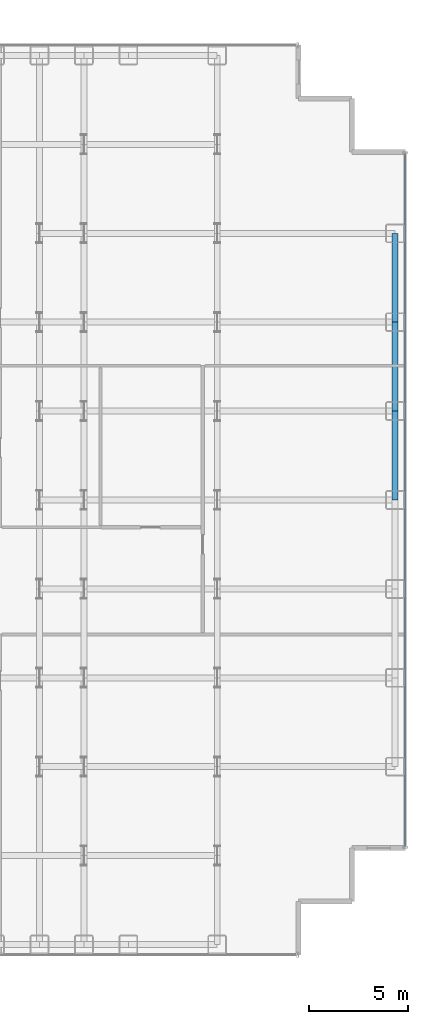
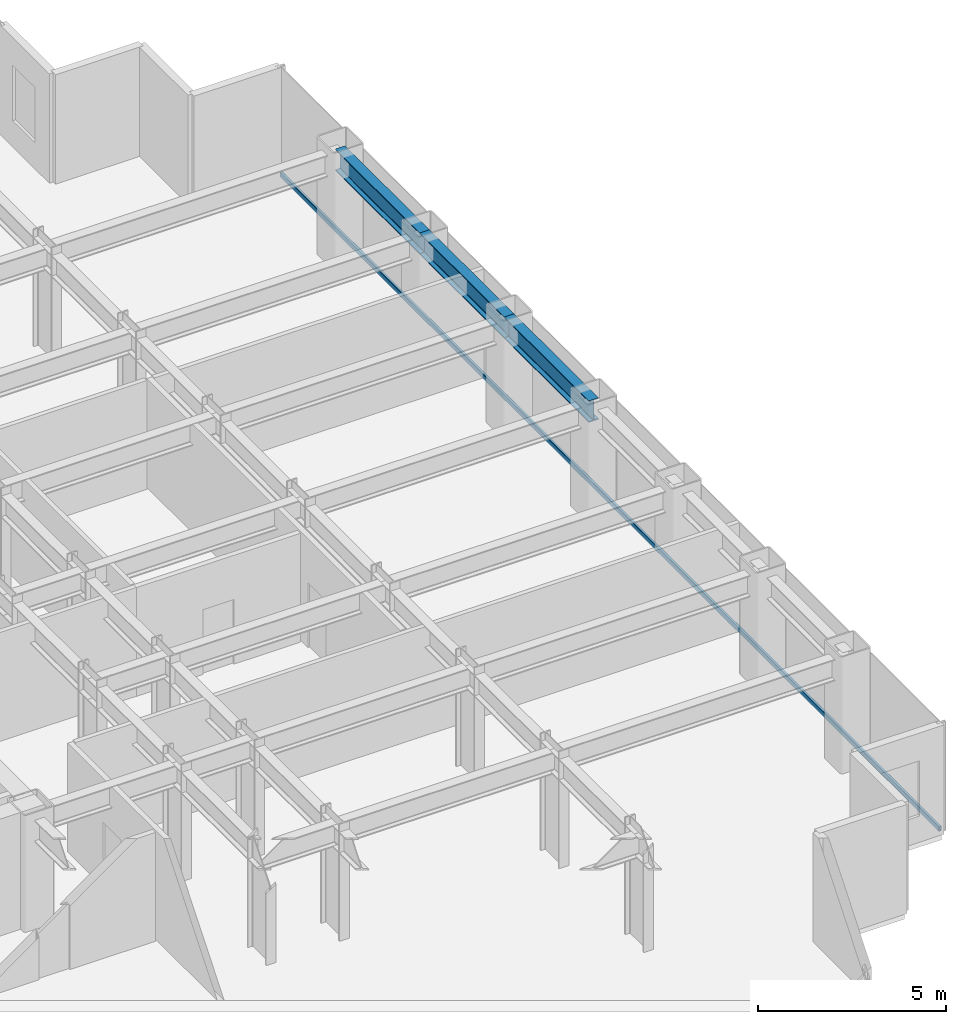
# One storey, part 17 of 26: 3 beams, 1 member, 1 element without a shape of its own.
"""IFC4 building model written with IfcOpenShell, lengths in metres."""

from ifc_helpers import new_model, si_unit, direction, frame, origin, origin_2d, place, context, subcontext, project, spatial, hollow_rectangle, i_section, extrude, source, transform, mapped, material, layer, layer_set, material_profile, profile_set, type_object, element, aggregate, save


model = new_model("IFC4")

# Units and contexts
model_context = context("Model", 3, precision=1e-05, world=origin(), true_north=direction((0.0, 1.0)))
body_context = subcontext(model_context, "Body", "Model", "MODEL_VIEW")
ifc_project = project(units=[si_unit("LENGTHUNIT", "METRE"), si_unit("AREAUNIT", "SQUARE_METRE"), si_unit("VOLUMEUNIT", "CUBIC_METRE"), si_unit("PLANEANGLEUNIT", "RADIAN"), si_unit("MASSUNIT", "GRAM", prefix="KILO")], contexts=[model_context])

# Site, building, storey
site_placement = place(None, origin())
site = spatial("IfcSite", under=ifc_project, at=site_placement, CompositionType="ELEMENT")
building_placement = place(site_placement, origin())
building = spatial("IfcBuilding", under=site, at=building_placement, Name="Nefas-Gora Pilgrimage Tower", CompositionType="ELEMENT")
storey_placement = place(building_placement, frame((0.0, 0.0, 94.60009765625)))
storey = spatial("IfcBuildingStorey", under=building, at=storey_placement, Name="L22", CompositionType="ELEMENT", Elevation=94.60009765625)

# Beams
ifc_material_1 = material(Name="Steel S355", Category="steel")
ifc_material_profile_1 = material_profile(ifc_material_1, i_section(OverallWidth=0.300048828125, OverallDepth=0.699951171875, WebThickness=0.01708984375, FlangeThickness=0.031982421875, FilletRadius=0.027099609375, at=origin_2d()), Name="HEB 700")
ifc_profile_set_1 = profile_set([ifc_material_profile_1], Name="Steel S355")
beam_type = type_object("IfcBeamType", Name="BM-SPN-HEB600", PredefinedType="SPANDREL", material=ifc_profile_set_1)
shared_shape_1 = source(origin(), body_context, "Body", "SweptSolid", [
    extrude(i_section(OverallWidth=0.300048828125, OverallDepth=0.699951171875, WebThickness=0.01708984375, FlangeThickness=0.031982421875, FilletRadius=0.027099609375, at=origin_2d()), origin(), (0.0, 0.0, 1.0), 4.5),
])
for number, where, z_axis, x_axis, name in (
    (1, (33.75, 0.0, 3.199951171875), (0.0, 1.0, 0.0), (-1.0, 0.0, 0.0), "L22 SP-01 beam"),
    (2, (33.75, 4.5, 3.199951171875), (0.0, 1.0, 0.0), (-1.0, 0.0, 0.0), "L22 SP-01 beam"),
    (3, (33.75, 9.0, 3.199951171875), (0.0, 1.0, 0.0), (-1.0, 0.0, 0.0), "L22 SP-01 beam"),
):
    element("IfcBeam", number, at=place(storey_placement, frame(where, z_axis=z_axis, x_axis=x_axis)), inside=storey, type_object=beam_type, Name=name, PredefinedType="SPANDREL", context=body_context, shape_type="MappedRepresentation", body=[
        mapped(shared_shape_1, transform((0.0, 0.0, 0.0), x_axis=(1.0, 0.0, 0.0), y_axis=(0.0, 1.0, 0.0), z_axis=(0.0, 0.0, 1.0), scale=1.0)),
    ])

# Curtain wall, member
ifc_material_2 = material(Name="Dark ceramic-fritted solar-control aluminium-glass curtain wall", Category="aluminium")
ifc_layer = layer(ifc_material_2, 0.219970703125)
ifc_layer_set = layer_set([ifc_layer], Name="Dark ceramic-fritted solar-control aluminium-glass curtain wall")
curtain_wall_type = type_object("IfcCurtainWallType", Name="CW-SYS-2", PredefinedType="NOTDEFINED", material=ifc_layer_set)
curtain_wall_placement = place(storey_placement, origin())
curtain_wall = element("IfcCurtainWall", 4, at=curtain_wall_placement, inside=storey, type_object=curtain_wall_type, Name="L22 Unitised Curtain Wall CW2", PredefinedType="NOTDEFINED")
ifc_material_3 = material(Name="Anodised architectural aluminium", Category="aluminium")
ifc_material_profile_2 = material_profile(ifc_material_3, hollow_rectangle(XDim=0.080078125, YDim=0.159912109375, WallThickness=0.00439453125, InnerFilletRadius=0.00439453125, OuterFilletRadius=0.009033203125, at=origin_2d()), Name="ALU TRANSOM 80x160")
ifc_profile_set_2 = profile_set([ifc_material_profile_2], Name="Anodised architectural aluminium")
member_type = type_object("IfcMemberType", Name="CWM-TRN-2", PredefinedType="USERDEFINED", material=ifc_profile_set_2)
shared_shape_2 = source(origin(), body_context, "Body", "SweptSolid", [
    extrude(hollow_rectangle(XDim=0.080078125, YDim=0.159912109375, WallThickness=0.00439453125, InnerFilletRadius=0.00439453125, OuterFilletRadius=0.009033203125, at=origin_2d()), origin(), (0.0, 0.0, 1.0), 35.06005859375),
])
member_placement = place(storey_placement, frame((34.27001953125, -17.530029296875, 0.0498046875), z_axis=(0.0, 1.0, 0.0), x_axis=(-1.0, 0.0, 0.0)))
member = element("IfcMember", 5, at=member_placement, type_object=member_type, Name="CW2 Spandrel Transom", ObjectType="TRANSOM", PredefinedType="USERDEFINED", context=body_context, shape_type="MappedRepresentation", body=[
    mapped(shared_shape_2, transform((0.0, 0.0, 0.0), x_axis=(1.0, 0.0, 0.0), y_axis=(0.0, 1.0, 0.0), z_axis=(0.0, 0.0, 1.0), scale=1.0)),
])
aggregate(curtain_wall, [member])

save(model, "model.ifc")
